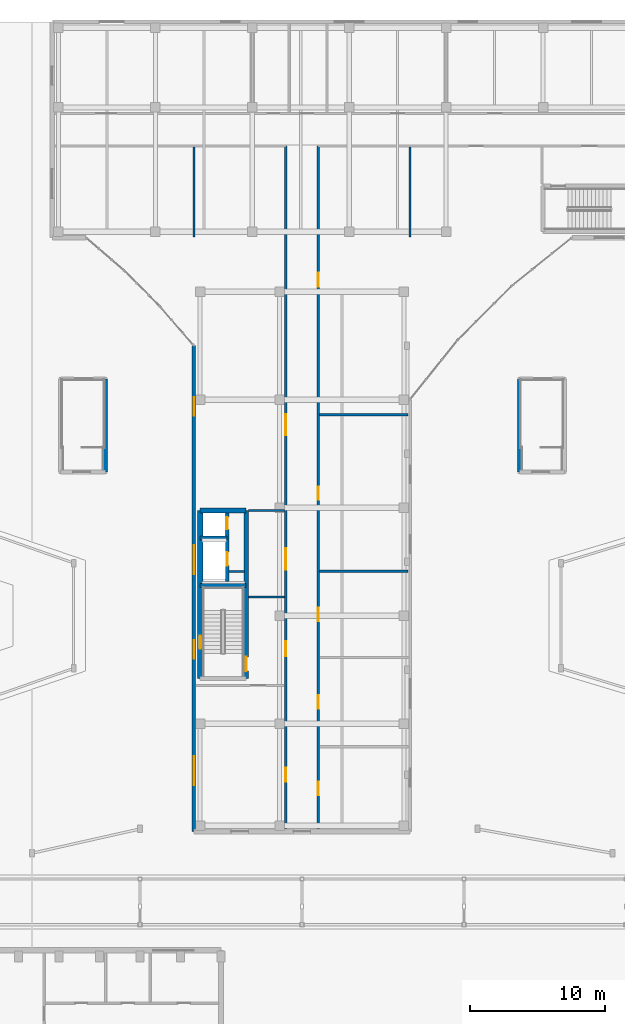
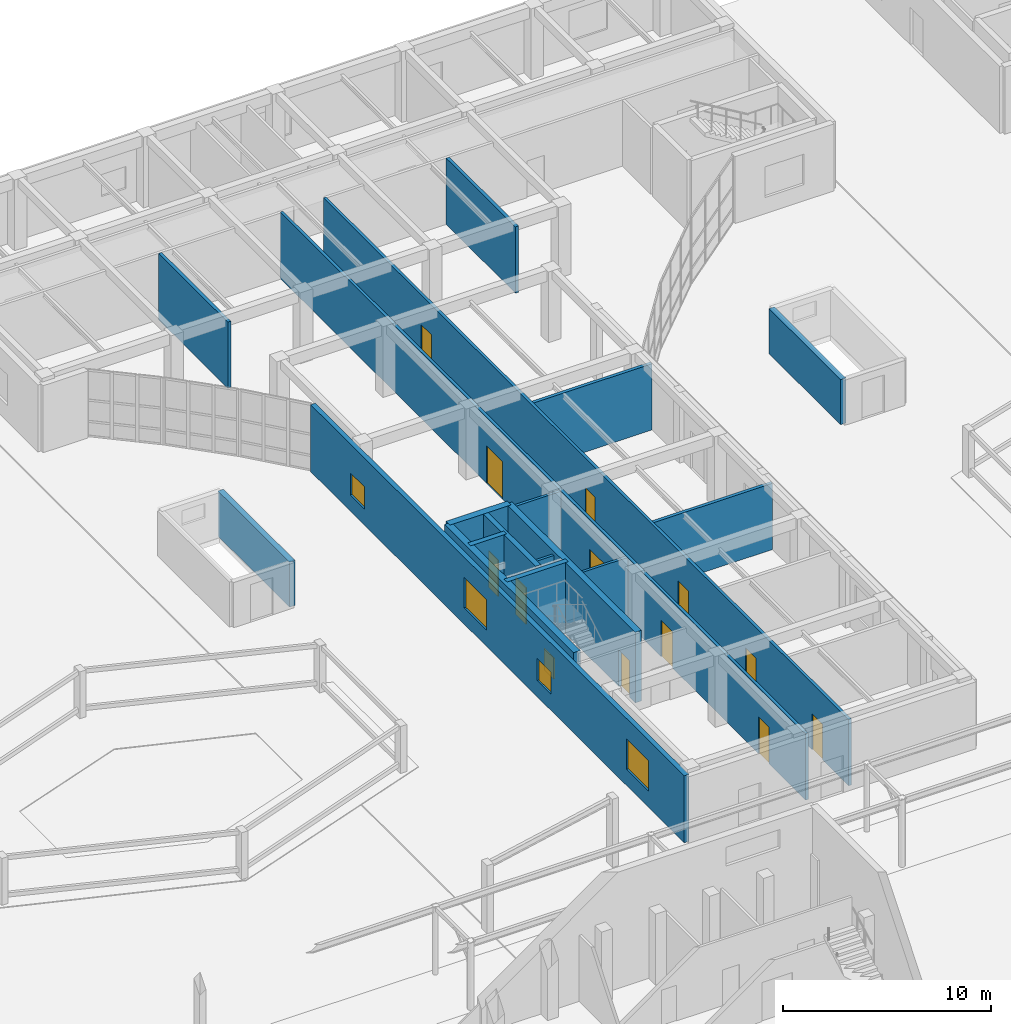
# One storey, part 84 of 114: 18 walls, 12 doors, 5 windows, 17 openings.
"""IFC4 building model written with IfcOpenShell, lengths in metres."""

from ifc_helpers import new_model, si_unit, direction, frame, frame_2d, origin, place, context, subcontext, project, spatial, rectangle, extrude, material, layer, layer_set, type_object, element, fill, save


model = new_model("IFC4")

# Units and contexts
model_context = context("Model", 3, precision=1e-05, world=origin(), true_north=direction((0.0, 1.0)))
body_context = subcontext(model_context, "Body", "Model", "MODEL_VIEW")
ifc_project = project(units=[si_unit("LENGTHUNIT", "METRE"), si_unit("AREAUNIT", "SQUARE_METRE"), si_unit("VOLUMEUNIT", "CUBIC_METRE"), si_unit("PLANEANGLEUNIT", "RADIAN"), si_unit("MASSUNIT", "GRAM", prefix="KILO")], contexts=[model_context])

# Site, building, storey
site_placement = place(None, origin())
site = spatial("IfcSite", under=ifc_project, at=site_placement, CompositionType="ELEMENT")
building_placement = place(site_placement, origin())
building = spatial("IfcBuilding", under=site, at=building_placement, Name="Keldmere Railside Commons", CompositionType="ELEMENT")
storey_placement = place(building_placement, origin())
storey = spatial("IfcBuildingStorey", under=building, at=storey_placement, Name="L00", CompositionType="ELEMENT", Elevation=0.0)

# Walls
ifc_material_1 = material(Name="Acoustic Gypsum Board Partition", Category="gypsum")
ifc_layer_1 = layer(ifc_material_1, 0.179931640625, Name="Acoustic Demising Partition 180")
ifc_layer_set_1 = layer_set([ifc_layer_1], Name="Acoustic Gypsum Board Partition")
wall_type_1 = type_object("IfcWallType", Name="Acoustic Demising Partition 180", PredefinedType="PARTITIONING", material=ifc_layer_set_1)
for number, where, z_axis, x_axis, name in (
    (1, (120.0, 100.050048828125, 0.0), (0.0, 0.0, 1.0), (0.0, 1.0, 0.0), "IW-1 IW-L00-0905"),
    (2, (104.0, 100.050048828125, 0.0), (0.0, 0.0, 1.0), (0.0, 1.0, 0.0), "IW-1 IW-L00-0906"),
):
    element("IfcWall", number, at=place(storey_placement, frame(where, z_axis=z_axis, x_axis=x_axis)), inside=storey, type_object=wall_type_1, Name=name, PredefinedType="PARTITIONING", context=body_context, shape_type="SweptSolid", body=[
        extrude(rectangle(XDim=6.669921875, YDim=0.179931640625, at=frame_2d((3.3349609375, 0.0))), origin(), (0.0, 0.0, 1.0), 3.89501953125),
    ])
for number, where, z_axis, x_axis, name in (
    (3, (113.280029296875, 75.300048828125, 0.0), (0.0, 0.0, 1.0), (1.0, 0.0, 0.0), "IW-1 IW-L00-0911"),
    (4, (113.280029296875, 86.89990234375, 0.0), (0.0, 0.0, 1.0), (1.0, 0.0, 0.0), "IW-1 IW-L00-0912"),
):
    element("IfcWall", number, at=place(storey_placement, frame(where, z_axis=z_axis, x_axis=x_axis)), inside=storey, type_object=wall_type_1, Name=name, PredefinedType="PARTITIONING", context=body_context, shape_type="SweptSolid", body=[
        extrude(rectangle(XDim=6.590087890625, YDim=0.179931640625, at=frame_2d((3.294921875, 0.0))), origin(), (0.0, 0.0, 1.0), 3.89501953125),
    ])
ifc_material_2 = material(Name="Concrete H-35 (C35/45)", Category="concrete")
ifc_layer_2 = layer(ifc_material_2, 0.280029296875, Name="Core Shear Wall 280")
ifc_layer_set_2 = layer_set([ifc_layer_2], Name="Concrete H-35 (C35/45)")
wall_type_2 = type_object("IfcWallType", Name="Core Shear Wall 280", PredefinedType="SHEAR", material=ifc_layer_set_2)
wall_1_placement = place(storey_placement, frame((104.4599609375, 74.239990234375, 0.0), z_axis=(0.0, 0.0, 1.0), x_axis=(1.0, 0.0, 0.0)))
element("IfcWall", 5, at=wall_1_placement, inside=storey, type_object=wall_type_2, Name="CSW-2 COREBM-L00-0436", PredefinedType="SHEAR", context=body_context, shape_type="SweptSolid", body=[
    extrude(rectangle(XDim=3.41015625, YDim=0.280029296875, at=frame_2d((1.705078125, 0.0))), origin(), (0.0, 0.0, 1.0), 4.159912109375),
])
wall_2_placement = place(storey_placement, frame((104.4599609375, 77.75, 0.0), z_axis=(0.0, 0.0, 1.0), x_axis=(1.0, 0.0, 0.0)))
element("IfcWall", 6, at=wall_2_placement, inside=storey, type_object=wall_type_2, Name="CSW-2 COREBL-L00-0437", PredefinedType="SHEAR", context=body_context, shape_type="SweptSolid", body=[
    extrude(rectangle(XDim=2.0, YDim=0.280029296875, at=frame_2d((1.0, 0.0))), origin(), (0.0, 0.0, 1.0), 4.159912109375),
])

# Wall, openings, doors
wall_3_placement = place(storey_placement, frame((106.4599609375, 74.550048828125, 0.0), z_axis=(0.0, 0.0, 1.0), x_axis=(0.0, 1.0, 0.0)))
wall_3 = element("IfcWall", 7, at=wall_3_placement, inside=storey, type_object=wall_type_2, Name="CSW-2 LSHB-L00-0438", PredefinedType="SHEAR", context=body_context, shape_type="SweptSolid", body=[
    extrude(rectangle(XDim=5.25, YDim=0.280029296875, at=frame_2d((2.625, 0.0))), origin(), (0.0, 0.0, 1.0), 4.159912109375),
])
opening_1_placement = place(wall_3_placement, frame((1.14990234375, 0.0, 0.0)))
opening_1 = element("IfcOpeningElement", 8, at=opening_1_placement, cuts=wall_3, Name="Opening LD-1", PredefinedType="OPENING", context=body_context, shape_type="SweptSolid", body=[
    extrude(rectangle(XDim=1.0, YDim=2.14990234375, at=frame_2d((0.5, 1.074951171875))), frame((0.0, 0.14990234375, 0.0), z_axis=(0.0, -1.0, 0.0), x_axis=(1.0, 0.0, 0.0)), (0.0, 0.0, 1.0), 0.300048828125),
])
opening_2_placement = place(wall_3_placement, frame((3.85009765625, 0.0, 0.0)))
opening_2 = element("IfcOpeningElement", 9, at=opening_2_placement, cuts=wall_3, Name="Opening LD-2", PredefinedType="OPENING", context=body_context, shape_type="SweptSolid", body=[
    extrude(rectangle(XDim=0.89990234375, YDim=2.14990234375, at=frame_2d((0.449951171875, 1.074951171875))), frame((0.0, 0.14990234375, 0.0), z_axis=(0.0, -1.0, 0.0), x_axis=(1.0, 0.0, 0.0)), (0.0, 0.0, 1.0), 0.300048828125),
])
ifc_material_3 = material(Name="Steel F-24 (S235)", Category="steel")
door_type_1 = type_object("IfcDoorType", Name="Firefighting Stretcher Lift Landing Door 1000x2150", OperationType="SLIDING_TO_LEFT", PredefinedType="DOOR", material=ifc_material_3)
door_1_placement = place(opening_1_placement, origin())
door_1 = element("IfcDoor", 10, at=door_1_placement, inside=storey, type_object=door_type_1, Name="LD-1 B L00", OperationType="SLIDING_TO_LEFT", OverallHeight=2.14990234375, OverallWidth=1.0, PredefinedType="DOOR", context=body_context, shape_type="SweptSolid", body=[
    extrude(rectangle(XDim=1.0, YDim=2.14990234375, at=frame_2d((0.5, 1.074951171875))), frame((0.0, 0.02490234375, 0.0), z_axis=(0.0, -1.0, 0.0), x_axis=(1.0, 0.0, 0.0)), (0.0, 0.0, 1.0), 0.050048828125),
])
fill(opening_1, door_1)
door_type_2 = type_object("IfcDoorType", Name="Passenger Lift Sliding Landing Door 900x2150", OperationType="SLIDING_TO_RIGHT", PredefinedType="DOOR", material=ifc_material_3)
door_2_placement = place(opening_2_placement, origin())
door_2 = element("IfcDoor", 11, at=door_2_placement, inside=storey, type_object=door_type_2, Name="LD-2 B L00", OperationType="SLIDING_TO_RIGHT", OverallHeight=2.14990234375, OverallWidth=0.89990234375, PredefinedType="DOOR", context=body_context, shape_type="SweptSolid", body=[
    extrude(rectangle(XDim=0.89990234375, YDim=2.14990234375, at=frame_2d((0.449951171875, 1.074951171875))), frame((0.0, 0.02490234375, 0.0), z_axis=(0.0, -1.0, 0.0), x_axis=(1.0, 0.0, 0.0)), (0.0, 0.0, 1.0), 0.050048828125),
])
fill(opening_2, door_2)

# Wall, opening, window
ifc_material_4 = material(Name="Concrete H-40 (C40/50)", Category="concrete")
ifc_layer_3 = layer(ifc_material_4, 0.3798828125, Name="Core Shear Wall 380")
ifc_layer_set_3 = layer_set([ifc_layer_3], Name="Concrete H-40 (C40/50)")
wall_type_3 = type_object("IfcWallType", Name="Core Shear Wall 380", PredefinedType="SHEAR", material=ifc_layer_set_3)
wall_4_placement = place(storey_placement, frame((104.4599609375, 67.35009765625, 0.0), z_axis=(0.0, 0.0, 1.0), x_axis=(0.0, 1.0, 0.0)))
wall_4 = element("IfcWall", 12, at=wall_4_placement, inside=storey, type_object=wall_type_3, Name="CW-CORE COREBW-L00-0432", PredefinedType="SHEAR", context=body_context, shape_type="SweptSolid", body=[
    extrude(rectangle(XDim=12.449951171875, YDim=0.3798828125, at=frame_2d((6.22509765625, 0.0))), origin(), (0.0, 0.0, 1.0), 4.159912109375),
])
opening_3_placement = place(wall_4_placement, frame((2.199951171875, 0.0, 1.199951171875)))
opening_3 = element("IfcOpeningElement", 13, at=opening_3_placement, cuts=wall_4, Name="Opening WN-17", PredefinedType="OPENING", context=body_context, shape_type="SweptSolid", body=[
    extrude(rectangle(XDim=0.949951171875, YDim=1.25, at=frame_2d((0.47509765625, 0.625))), frame((0.0, 0.199951171875, 0.0), z_axis=(0.0, -1.0, 0.0), x_axis=(1.0, 0.0, 0.0)), (0.0, 0.0, 1.0), 0.39990234375),
])
ifc_material_5 = material(Name="Low-E Insulated Double Glazing", Category="glass")
window_type_1 = type_object("IfcWindowType", Name="Stair Core Natural Smoke-Vent Window 950x1250", PartitioningType="SINGLE_PANEL", PredefinedType="WINDOW", material=ifc_material_5)
window_1_placement = place(opening_3_placement, origin())
window_1 = element("IfcWindow", 14, at=window_1_placement, inside=storey, type_object=window_type_1, Name="WN-17 WIN-L00-0337", OverallHeight=1.25, OverallWidth=0.949951171875, PartitioningType="SINGLE_PANEL", PredefinedType="WINDOW", context=body_context, shape_type="SweptSolid", body=[
    extrude(rectangle(XDim=0.949951171875, YDim=1.25, at=frame_2d((0.47509765625, 0.625))), frame((0.0, 0.030029296875, 0.0), z_axis=(0.0, -1.0, 0.0), x_axis=(1.0, 0.0, 0.0)), (0.0, 0.0, 1.0), 0.06005859375),
])
fill(opening_3, window_1)

# Wall
wall_5_placement = place(storey_placement, frame((104.4599609375, 79.800048828125, 0.0), z_axis=(0.0, 0.0, 1.0), x_axis=(1.0, 0.0, 0.0)))
element("IfcWall", 15, at=wall_5_placement, inside=storey, type_object=wall_type_3, Name="CW-CORE COREBN-L00-0433", PredefinedType="SHEAR", context=body_context, shape_type="SweptSolid", body=[
    extrude(rectangle(XDim=3.41015625, YDim=0.3798828125, at=frame_2d((1.705078125, 0.0))), origin(), (0.0, 0.0, 1.0), 4.159912109375),
])

# Wall, openings, doors
ifc_layer_4 = layer(ifc_material_1, 0.159912109375, Name="Corridor Fire Partition 160")
ifc_layer_set_4 = layer_set([ifc_layer_4], Name="Acoustic Gypsum Board Partition")
wall_type_4 = type_object("IfcWallType", Name="Corridor Fire Partition 160", PredefinedType="PARTITIONING", material=ifc_layer_set_4)
wall_6_placement = place(storey_placement, frame((110.800048828125, 56.179931640625, 0.0), z_axis=(0.0, 0.0, 1.0), x_axis=(0.0, 1.0, 0.0)))
wall_6 = element("IfcWall", 16, at=wall_6_placement, inside=storey, type_object=wall_type_4, Name="IW-2 IW-L00-0900", PredefinedType="PARTITIONING", context=body_context, shape_type="SweptSolid", body=[
    extrude(rectangle(XDim=50.6201171875, YDim=0.159912109375, at=frame_2d((25.31005859375, 0.0))), origin(), (0.0, 0.0, 1.0), 3.89501953125),
])
opening_4_placement = place(wall_6_placement, frame((12.820068359375, 0.0, 0.0)))
opening_4 = element("IfcOpeningElement", 17, at=opening_4_placement, cuts=wall_6, Name="Opening FD-2", PredefinedType="OPENING", context=body_context, shape_type="SweptSolid", body=[
    extrude(rectangle(XDim=1.10009765625, YDim=2.14990234375, at=frame_2d((0.550048828125, 1.074951171875))), frame((0.0, 0.08984375, 0.0), z_axis=(0.0, -1.0, 0.0), x_axis=(1.0, 0.0, 0.0)), (0.0, 0.0, 1.0), 0.179931640625),
])
opening_5_placement = place(wall_6_placement, frame((19.219970703125, 0.0, 0.0)))
opening_5 = element("IfcOpeningElement", 18, at=opening_5_placement, cuts=wall_6, Name="Opening FD-4", PredefinedType="OPENING", context=body_context, shape_type="SweptSolid", body=[
    extrude(rectangle(XDim=1.60009765625, YDim=2.14990234375, at=frame_2d((0.800048828125, 1.074951171875))), frame((0.0, 0.08984375, 0.0), z_axis=(0.0, -1.0, 0.0), x_axis=(1.0, 0.0, 0.0)), (0.0, 0.0, 1.0), 0.179931640625),
])
opening_6_placement = place(wall_6_placement, frame((3.5, 0.0, 0.0)))
opening_6 = element("IfcOpeningElement", 19, at=opening_6_placement, cuts=wall_6, Name="Opening FD-1", PredefinedType="OPENING", context=body_context, shape_type="SweptSolid", body=[
    extrude(rectangle(XDim=1.050048828125, YDim=2.14990234375, at=frame_2d((0.52490234375, 1.074951171875))), frame((0.0, 0.08984375, 0.0), z_axis=(0.0, -1.0, 0.0), x_axis=(1.0, 0.0, 0.0)), (0.0, 0.0, 1.0), 0.179931640625),
])
opening_7_placement = place(wall_6_placement, frame((29.199951171875, 0.0, 0.0)))
opening_7 = element("IfcOpeningElement", 20, at=opening_7_placement, cuts=wall_6, Name="Opening ID-16", PredefinedType="OPENING", context=body_context, shape_type="SweptSolid", body=[
    extrude(rectangle(XDim=1.550048828125, YDim=2.199951171875, at=frame_2d((0.77490234375, 1.10009765625))), frame((0.0, 0.08984375, 0.0), z_axis=(0.0, -1.0, 0.0), x_axis=(1.0, 0.0, 0.0)), (0.0, 0.0, 1.0), 0.179931640625),
])
door_type_3 = type_object("IfcDoorType", Name="Bicycle Hub Double Swing Door 1550x2200", OperationType="DOUBLE_DOOR_SINGLE_SWING", PredefinedType="DOOR", material=ifc_material_3)
door_3_placement = place(opening_7_placement, origin())
door_3 = element("IfcDoor", 21, at=door_3_placement, inside=storey, type_object=door_type_3, Name="ID-16 IDR-L00-0789", OperationType="DOUBLE_DOOR_SINGLE_SWING", OverallHeight=2.199951171875, OverallWidth=1.550048828125, PredefinedType="DOOR", context=body_context, shape_type="SweptSolid", body=[
    extrude(rectangle(XDim=1.550048828125, YDim=2.199951171875, at=frame_2d((0.77490234375, 1.10009765625))), frame((0.0, 0.02490234375, 0.0), z_axis=(0.0, -1.0, 0.0), x_axis=(1.0, 0.0, 0.0)), (0.0, 0.0, 1.0), 0.050048828125),
])
fill(opening_7, door_3)
door_type_4 = type_object("IfcDoorType", Name="Corridor Cross-Compartment Double Fire Door 1600x2150", OperationType="DOUBLE_DOOR_SINGLE_SWING", PredefinedType="DOOR", material=ifc_material_3)
door_4_placement = place(opening_5_placement, origin())
door_4 = element("IfcDoor", 22, at=door_4_placement, inside=storey, type_object=door_type_4, Name="FD-4 IDR-L00-0781", OperationType="DOUBLE_DOOR_SINGLE_SWING", OverallHeight=2.14990234375, OverallWidth=1.60009765625, PredefinedType="DOOR", context=body_context, shape_type="SweptSolid", body=[
    extrude(rectangle(XDim=1.60009765625, YDim=2.14990234375, at=frame_2d((0.800048828125, 1.074951171875))), frame((0.0, 0.02490234375, 0.0), z_axis=(0.0, -1.0, 0.0), x_axis=(1.0, 0.0, 0.0)), (0.0, 0.0, 1.0), 0.050048828125),
])
fill(opening_5, door_4)
door_type_5 = type_object("IfcDoorType", Name="Firefighting Lobby Fire Door 1100x2150", OperationType="NOTDEFINED", PredefinedType="DOOR", material=ifc_material_3)
door_5_placement = place(opening_4_placement, origin())
door_5 = element("IfcDoor", 23, at=door_5_placement, inside=storey, type_object=door_type_5, Name="FD-2 IDR-L00-0780", OperationType="SINGLE_SWING_RIGHT", OverallHeight=2.14990234375, OverallWidth=1.10009765625, PredefinedType="DOOR", context=body_context, shape_type="SweptSolid", body=[
    extrude(rectangle(XDim=1.10009765625, YDim=2.14990234375, at=frame_2d((0.550048828125, 1.074951171875))), frame((0.0, 0.02490234375, 0.0), z_axis=(0.0, -1.0, 0.0), x_axis=(1.0, 0.0, 0.0)), (0.0, 0.0, 1.0), 0.050048828125),
])
fill(opening_4, door_5)
door_type_6 = type_object("IfcDoorType", Name="Stair Core Fire Door 1050x2150", OperationType="NOTDEFINED", PredefinedType="DOOR", material=ifc_material_3)
door_6_placement = place(opening_6_placement, origin())
door_6 = element("IfcDoor", 24, at=door_6_placement, inside=storey, type_object=door_type_6, Name="FD-1 IDR-L00-0783", OperationType="SINGLE_SWING_LEFT", OverallHeight=2.14990234375, OverallWidth=1.050048828125, PredefinedType="DOOR", context=body_context, shape_type="SweptSolid", body=[
    extrude(rectangle(XDim=1.050048828125, YDim=2.14990234375, at=frame_2d((0.52490234375, 1.074951171875))), frame((0.0, 0.02490234375, 0.0), z_axis=(0.0, -1.0, 0.0), x_axis=(1.0, 0.0, 0.0)), (0.0, 0.0, 1.0), 0.050048828125),
])
fill(opening_6, door_6)

wall_7_placement = place(storey_placement, frame((113.199951171875, 56.179931640625, 0.0), z_axis=(0.0, 0.0, 1.0), x_axis=(0.0, 1.0, 0.0)))
wall_7 = element("IfcWall", 25, at=wall_7_placement, inside=storey, type_object=wall_type_4, Name="IW-2 IW-L00-0901", PredefinedType="PARTITIONING", context=body_context, shape_type="SweptSolid", body=[
    extrude(rectangle(XDim=50.6201171875, YDim=0.159912109375, at=frame_2d((25.31005859375, 0.0))), origin(), (0.0, 0.0, 1.0), 3.89501953125),
])
opening_8_placement = place(wall_7_placement, frame((2.514892578125, 0.0, 0.0)))
opening_8 = element("IfcOpeningElement", 26, at=opening_8_placement, cuts=wall_7, Name="Opening FD-9", PredefinedType="OPENING", context=body_context, shape_type="SweptSolid", body=[
    extrude(rectangle(XDim=1.0, YDim=2.10009765625, at=frame_2d((0.5, 1.050048828125))), frame((0.0, 0.08984375, 0.0), z_axis=(0.0, -1.0, 0.0), x_axis=(1.0, 0.0, 0.0)), (0.0, 0.0, 1.0), 0.179931640625),
])
opening_9_placement = place(wall_7_placement, frame((8.919921875, 0.0, 0.0)))
opening_9 = element("IfcOpeningElement", 27, at=opening_9_placement, cuts=wall_7, Name="Opening FD-9", PredefinedType="OPENING", context=body_context, shape_type="SweptSolid", body=[
    extrude(rectangle(XDim=1.0, YDim=2.10009765625, at=frame_2d((0.5, 1.050048828125))), frame((0.0, 0.08984375, 0.0), z_axis=(0.0, -1.0, 0.0), x_axis=(1.0, 0.0, 0.0)), (0.0, 0.0, 1.0), 0.179931640625),
])
opening_10_placement = place(wall_7_placement, frame((15.419921875, 0.0, 0.0)))
opening_10 = element("IfcOpeningElement", 28, at=opening_10_placement, cuts=wall_7, Name="Opening FD-9", PredefinedType="OPENING", context=body_context, shape_type="SweptSolid", body=[
    extrude(rectangle(XDim=1.0, YDim=2.10009765625, at=frame_2d((0.5, 1.050048828125))), frame((0.0, 0.08984375, 0.0), z_axis=(0.0, -1.0, 0.0), x_axis=(1.0, 0.0, 0.0)), (0.0, 0.0, 1.0), 0.179931640625),
])
opening_11_placement = place(wall_7_placement, frame((24.419921875, 0.0, 0.0)))
opening_11 = element("IfcOpeningElement", 29, at=opening_11_placement, cuts=wall_7, Name="Opening ID-08", PredefinedType="OPENING", context=body_context, shape_type="SweptSolid", body=[
    extrude(rectangle(XDim=0.9599609375, YDim=2.14990234375, at=frame_2d((0.47998046875, 1.074951171875))), frame((0.0, 0.08984375, 0.0), z_axis=(0.0, -1.0, 0.0), x_axis=(1.0, 0.0, 0.0)), (0.0, 0.0, 1.0), 0.179931640625),
])
opening_12_placement = place(wall_7_placement, frame((40.175048828125, 0.0, 0.0)))
opening_12 = element("IfcOpeningElement", 30, at=opening_12_placement, cuts=wall_7, Name="Opening ID-14", PredefinedType="OPENING", context=body_context, shape_type="SweptSolid", body=[
    extrude(rectangle(XDim=1.0400390625, YDim=2.14990234375, at=frame_2d((0.52001953125, 1.074951171875))), frame((0.0, 0.08984375, 0.0), z_axis=(0.0, -1.0, 0.0), x_axis=(1.0, 0.0, 0.0)), (0.0, 0.0, 1.0), 0.179931640625),
])
door_type_7 = type_object("IfcDoorType", Name="Market Shop Back-of-House Door 1040x2150", OperationType="NOTDEFINED", PredefinedType="DOOR", material=ifc_material_3)
door_7_placement = place(opening_12_placement, origin())
door_7 = element("IfcDoor", 31, at=door_7_placement, inside=storey, type_object=door_type_7, Name="ID-14 IDR-L00-0788", OperationType="SINGLE_SWING_RIGHT", OverallHeight=2.14990234375, OverallWidth=1.0400390625, PredefinedType="DOOR", context=body_context, shape_type="SweptSolid", body=[
    extrude(rectangle(XDim=1.0400390625, YDim=2.14990234375, at=frame_2d((0.52001953125, 1.074951171875))), frame((0.0, 0.02490234375, 0.0), z_axis=(0.0, -1.0, 0.0), x_axis=(1.0, 0.0, 0.0)), (0.0, 0.0, 1.0), 0.050048828125),
])
fill(opening_12, door_7)
ifc_material_6 = material(Name="Engineered Oak Timber", Category="wood")
door_type_8 = type_object("IfcDoorType", Name="Study & Meeting Room Door 960x2150", OperationType="NOTDEFINED", PredefinedType="DOOR", material=ifc_material_6)
door_8_placement = place(opening_11_placement, origin())
door_8 = element("IfcDoor", 32, at=door_8_placement, inside=storey, type_object=door_type_8, Name="ID-08 IDR-L00-0787", OperationType="SINGLE_SWING_LEFT", OverallHeight=2.14990234375, OverallWidth=0.9599609375, PredefinedType="DOOR", context=body_context, shape_type="SweptSolid", body=[
    extrude(rectangle(XDim=0.9599609375, YDim=2.14990234375, at=frame_2d((0.47998046875, 1.074951171875))), frame((0.0, 0.02490234375, 0.0), z_axis=(0.0, -1.0, 0.0), x_axis=(1.0, 0.0, 0.0)), (0.0, 0.0, 1.0), 0.050048828125),
])
fill(opening_11, door_8)
door_type_9 = type_object("IfcDoorType", Name="Waste & Storage Fire Door 1000x2100", OperationType="NOTDEFINED", PredefinedType="DOOR", material=ifc_material_3)
door_9_placement = place(opening_8_placement, origin())
door_9 = element("IfcDoor", 33, at=door_9_placement, inside=storey, type_object=door_type_9, Name="FD-9 IDR-L00-0784", OperationType="SINGLE_SWING_RIGHT", OverallHeight=2.10009765625, OverallWidth=1.0, PredefinedType="DOOR", context=body_context, shape_type="SweptSolid", body=[
    extrude(rectangle(XDim=1.0, YDim=2.10009765625, at=frame_2d((0.5, 1.050048828125))), frame((0.0, 0.02490234375, 0.0), z_axis=(0.0, -1.0, 0.0), x_axis=(1.0, 0.0, 0.0)), (0.0, 0.0, 1.0), 0.050048828125),
])
fill(opening_8, door_9)
door_10_placement = place(opening_9_placement, origin())
door_10 = element("IfcDoor", 34, at=door_10_placement, inside=storey, type_object=door_type_9, Name="FD-9 IDR-L00-0785", OperationType="SINGLE_SWING_LEFT", OverallHeight=2.10009765625, OverallWidth=1.0, PredefinedType="DOOR", context=body_context, shape_type="SweptSolid", body=[
    extrude(rectangle(XDim=1.0, YDim=2.10009765625, at=frame_2d((0.5, 1.050048828125))), frame((0.0, 0.02490234375, 0.0), z_axis=(0.0, -1.0, 0.0), x_axis=(1.0, 0.0, 0.0)), (0.0, 0.0, 1.0), 0.050048828125),
])
fill(opening_9, door_10)
door_11_placement = place(opening_10_placement, origin())
door_11 = element("IfcDoor", 35, at=door_11_placement, inside=storey, type_object=door_type_9, Name="FD-9 IDR-L00-0786", OperationType="SINGLE_SWING_RIGHT", OverallHeight=2.10009765625, OverallWidth=1.0, PredefinedType="DOOR", context=body_context, shape_type="SweptSolid", body=[
    extrude(rectangle(XDim=1.0, YDim=2.10009765625, at=frame_2d((0.5, 1.050048828125))), frame((0.0, 0.02490234375, 0.0), z_axis=(0.0, -1.0, 0.0), x_axis=(1.0, 0.0, 0.0)), (0.0, 0.0, 1.0), 0.050048828125),
])
fill(opening_10, door_11)

# Walls
ifc_layer_5 = layer(ifc_material_2, 0.300048828125, Name="Interior Shear Wall 300")
ifc_layer_set_5 = layer_set([ifc_layer_5], Name="Concrete H-35 (C35/45)")
wall_type_5 = type_object("IfcWallType", Name="Interior Shear Wall 300", PredefinedType="SHEAR", material=ifc_layer_set_5)
for number, where, z_axis, x_axis, name in (
    (36, (97.449951171875, 89.550048828125, 0.0), (0.0, 0.0, 1.0), (0.0, -1.0, 0.0), "ISW-2 WAL-ST-B4-L00-E"),
    (37, (128.10009765625, 82.64990234375, 0.0), (0.0, 0.0, 1.0), (0.0, 1.0, 0.0), "ISW-2 WAL-ST-B5-L00-W"),
):
    element("IfcWall", number, at=place(storey_placement, frame(where, z_axis=z_axis, x_axis=x_axis)), inside=storey, type_object=wall_type_5, Name=name, PredefinedType="SHEAR", context=body_context, shape_type="SweptSolid", body=[
        extrude(rectangle(XDim=6.900146484375, YDim=0.300048828125, at=frame_2d((3.4501953125, 0.0))), origin(), (0.0, 0.0, 1.0), 2.64990234375),
    ])

# Wall, opening, door
ifc_layer_6 = layer(ifc_material_2, 0.340087890625, Name="Interior Shear Wall 340")
ifc_layer_set_6 = layer_set([ifc_layer_6], Name="Concrete H-35 (C35/45)")
wall_type_6 = type_object("IfcWallType", Name="Interior Shear Wall 340", PredefinedType="SHEAR", material=ifc_layer_set_6)
wall_8_placement = place(storey_placement, frame((107.8701171875, 79.800048828125, 0.0), z_axis=(0.0, 0.0, 1.0), x_axis=(0.0, -1.0, 0.0)))
wall_8 = element("IfcWall", 38, at=wall_8_placement, inside=storey, type_object=wall_type_6, Name="ISW-1 COREBE-L00-0434", PredefinedType="SHEAR", context=body_context, shape_type="SweptSolid", body=[
    extrude(rectangle(XDim=12.449951171875, YDim=0.340087890625, at=frame_2d((6.22509765625, 0.0))), origin(), (0.0, 0.0, 1.0), 4.159912109375),
])
opening_13_placement = place(wall_8_placement, frame((10.85009765625, 0.0, 0.0)))
opening_13 = element("IfcOpeningElement", 39, at=opening_13_placement, cuts=wall_8, Name="Opening FD-1", PredefinedType="OPENING", context=body_context, shape_type="SweptSolid", body=[
    extrude(rectangle(XDim=1.050048828125, YDim=2.14990234375, at=frame_2d((0.52490234375, 1.074951171875))), frame((0.0, 0.179931640625, 0.0), z_axis=(0.0, -1.0, 0.0), x_axis=(1.0, 0.0, 0.0)), (0.0, 0.0, 1.0), 0.360107421875),
])
door_12_placement = place(opening_13_placement, origin())
door_12 = element("IfcDoor", 40, at=door_12_placement, inside=storey, type_object=door_type_6, Name="FD-1 B1 L00", OperationType="SINGLE_SWING_LEFT", OverallHeight=2.14990234375, OverallWidth=1.050048828125, PredefinedType="DOOR", context=body_context, shape_type="SweptSolid", body=[
    extrude(rectangle(XDim=1.050048828125, YDim=2.14990234375, at=frame_2d((0.52490234375, 1.074951171875))), frame((0.0, 0.02490234375, 0.0), z_axis=(0.0, -1.0, 0.0), x_axis=(1.0, 0.0, 0.0)), (0.0, 0.0, 1.0), 0.050048828125),
])
fill(opening_13, door_12)

# Walls
ifc_layer_7 = layer(ifc_material_1, 0.14990234375, Name="Lobby Rated Partition 150")
ifc_layer_set_7 = layer_set([ifc_layer_7], Name="Acoustic Gypsum Board Partition")
wall_type_7 = type_object("IfcWallType", Name="Lobby Rated Partition 150", PredefinedType="PARTITIONING", material=ifc_layer_set_7)
wall_9_placement = place(storey_placement, frame((106.60009765625, 75.280029296875, 0.0), z_axis=(0.0, 0.0, 1.0), x_axis=(1.0, 0.0, 0.0)))
element("IfcWall", 41, at=wall_9_placement, inside=storey, type_object=wall_type_7, Name="IW-3 RSRNB-L00-0439", PredefinedType="PARTITIONING", context=body_context, shape_type="SweptSolid", body=[
    extrude(rectangle(XDim=1.1298828125, YDim=0.14990234375, at=frame_2d((0.56494140625, 0.0))), origin(), (0.0, 0.0, 1.0), 3.909912109375),
])
for number, where, z_axis, x_axis, name in (
    (42, (108.0400390625, 73.3798828125, 0.0), (0.0, 0.0, 1.0), (1.0, 0.0, 0.0), "IW-3 IW-L00-0898"),
    (43, (108.0400390625, 79.800048828125, 0.0), (0.0, 0.0, 1.0), (1.0, 0.0, 0.0), "IW-3 IW-L00-0899"),
):
    element("IfcWall", number, at=place(storey_placement, frame(where, z_axis=z_axis, x_axis=x_axis)), inside=storey, type_object=wall_type_7, Name=name, PredefinedType="PARTITIONING", context=body_context, shape_type="SweptSolid", body=[
        extrude(rectangle(XDim=2.679931640625, YDim=0.14990234375, at=frame_2d((1.33984375, 0.0))), origin(), (0.0, 0.0, 1.0), 3.89501953125),
    ])

# Wall, openings, windows
ifc_material_7 = material(Name="Terracotta Brick Masonry", Category="masonry")
ifc_layer_8 = layer(ifc_material_7, 0.260009765625, Name="Terracotta Cavity Wall 260")
ifc_layer_set_8 = layer_set([ifc_layer_8], Name="Terracotta Brick Masonry")
wall_type_8 = type_object("IfcWallType", Name="Terracotta Cavity Wall 260", PredefinedType="SOLIDWALL", material=ifc_layer_set_8)
wall_10_placement = place(storey_placement, frame((104.0, 56.0, 0.0), z_axis=(0.0, 0.0, 1.0), x_axis=(0.0, 1.0, 0.0)))
wall_10 = element("IfcWall", 44, at=wall_10_placement, inside=storey, type_object=wall_type_8, Name="EW-1 EXTB-L00-0583", PredefinedType="SOLIDWALL", context=body_context, shape_type="SweptSolid", body=[
    extrude(rectangle(XDim=36.0, YDim=0.260009765625, at=frame_2d((18.0, 0.0))), origin(), (0.0, 0.0, 1.0), 3.93994140625),
])
opening_14_placement = place(wall_10_placement, frame((3.425048828125, 0.0, 0.949951171875)))
opening_14 = element("IfcOpeningElement", 45, at=opening_14_placement, cuts=wall_10, Name="Opening WN-41", PredefinedType="OPENING", context=body_context, shape_type="SweptSolid", body=[
    extrude(rectangle(XDim=2.14990234375, YDim=1.800048828125, at=frame_2d((1.074951171875, 0.89990234375))), frame((0.0, 0.139892578125, 0.0), z_axis=(0.0, -1.0, 0.0), x_axis=(1.0, 0.0, 0.0)), (0.0, 0.0, 1.0), 0.280029296875),
])
opening_15_placement = place(wall_10_placement, frame((12.824951171875, 0.0, 0.949951171875)))
opening_15 = element("IfcOpeningElement", 46, at=opening_15_placement, cuts=wall_10, Name="Opening WN-25", PredefinedType="OPENING", context=body_context, shape_type="SweptSolid", body=[
    extrude(rectangle(XDim=1.35009765625, YDim=1.300048828125, at=frame_2d((0.675048828125, 0.64990234375))), frame((0.0, 0.139892578125, 0.0), z_axis=(0.0, -1.0, 0.0), x_axis=(1.0, 0.0, 0.0)), (0.0, 0.0, 1.0), 0.280029296875),
])
opening_16_placement = place(wall_10_placement, frame((19.074951171875, 0.0, 0.949951171875)))
opening_16 = element("IfcOpeningElement", 47, at=opening_16_placement, cuts=wall_10, Name="Opening WN-41", PredefinedType="OPENING", context=body_context, shape_type="SweptSolid", body=[
    extrude(rectangle(XDim=2.14990234375, YDim=1.800048828125, at=frame_2d((1.074951171875, 0.89990234375))), frame((0.0, 0.139892578125, 0.0), z_axis=(0.0, -1.0, 0.0), x_axis=(1.0, 0.0, 0.0)), (0.0, 0.0, 1.0), 0.280029296875),
])
opening_17_placement = place(wall_10_placement, frame((30.824951171875, 0.0, 0.949951171875)))
opening_17 = element("IfcOpeningElement", 48, at=opening_17_placement, cuts=wall_10, Name="Opening WN-25", PredefinedType="OPENING", context=body_context, shape_type="SweptSolid", body=[
    extrude(rectangle(XDim=1.35009765625, YDim=1.300048828125, at=frame_2d((0.675048828125, 0.64990234375))), frame((0.0, 0.139892578125, 0.0), z_axis=(0.0, -1.0, 0.0), x_axis=(1.0, 0.0, 0.0)), (0.0, 0.0, 1.0), 0.280029296875),
])
window_type_2 = type_object("IfcWindowType", Name="North Plinth Gallery Window 2150x1800", PartitioningType="SINGLE_PANEL", PredefinedType="WINDOW", material=ifc_material_5)
window_2_placement = place(opening_14_placement, origin())
window_2 = element("IfcWindow", 49, at=window_2_placement, inside=storey, type_object=window_type_2, Name="WN-41 WIN-L00-0360", OverallHeight=1.800048828125, OverallWidth=2.14990234375, PartitioningType="SINGLE_PANEL", PredefinedType="WINDOW", context=body_context, shape_type="SweptSolid", body=[
    extrude(rectangle(XDim=2.14990234375, YDim=1.800048828125, at=frame_2d((1.074951171875, 0.89990234375))), frame((0.0, 0.030029296875, 0.0), z_axis=(0.0, -1.0, 0.0), x_axis=(1.0, 0.0, 0.0)), (0.0, 0.0, 1.0), 0.06005859375),
])
fill(opening_14, window_2)
window_3_placement = place(opening_16_placement, origin())
window_3 = element("IfcWindow", 50, at=window_3_placement, inside=storey, type_object=window_type_2, Name="WN-41 WIN-L00-0362", OverallHeight=1.800048828125, OverallWidth=2.14990234375, PartitioningType="SINGLE_PANEL", PredefinedType="WINDOW", context=body_context, shape_type="SweptSolid", body=[
    extrude(rectangle(XDim=2.14990234375, YDim=1.800048828125, at=frame_2d((1.074951171875, 0.89990234375))), frame((0.0, 0.030029296875, 0.0), z_axis=(0.0, -1.0, 0.0), x_axis=(1.0, 0.0, 0.0)), (0.0, 0.0, 1.0), 0.06005859375),
])
fill(opening_16, window_3)
window_type_3 = type_object("IfcWindowType", Name="Podium Laundry & Mailroom Window 1350x1300", PartitioningType="SINGLE_PANEL", PredefinedType="WINDOW", material=ifc_material_5)
window_4_placement = place(opening_15_placement, origin())
window_4 = element("IfcWindow", 51, at=window_4_placement, inside=storey, type_object=window_type_3, Name="WN-25 WIN-L00-0361", OverallHeight=1.300048828125, OverallWidth=1.35009765625, PartitioningType="SINGLE_PANEL", PredefinedType="WINDOW", context=body_context, shape_type="SweptSolid", body=[
    extrude(rectangle(XDim=1.35009765625, YDim=1.300048828125, at=frame_2d((0.675048828125, 0.64990234375))), frame((0.0, 0.030029296875, 0.0), z_axis=(0.0, -1.0, 0.0), x_axis=(1.0, 0.0, 0.0)), (0.0, 0.0, 1.0), 0.06005859375),
])
fill(opening_15, window_4)
window_5_placement = place(opening_17_placement, origin())
window_5 = element("IfcWindow", 52, at=window_5_placement, inside=storey, type_object=window_type_3, Name="WN-25 WIN-L00-0363", OverallHeight=1.300048828125, OverallWidth=1.35009765625, PartitioningType="SINGLE_PANEL", PredefinedType="WINDOW", context=body_context, shape_type="SweptSolid", body=[
    extrude(rectangle(XDim=1.35009765625, YDim=1.300048828125, at=frame_2d((0.675048828125, 0.64990234375))), frame((0.0, 0.030029296875, 0.0), z_axis=(0.0, -1.0, 0.0), x_axis=(1.0, 0.0, 0.0)), (0.0, 0.0, 1.0), 0.06005859375),
])
fill(opening_17, window_5)

save(model, "model.ifc")
